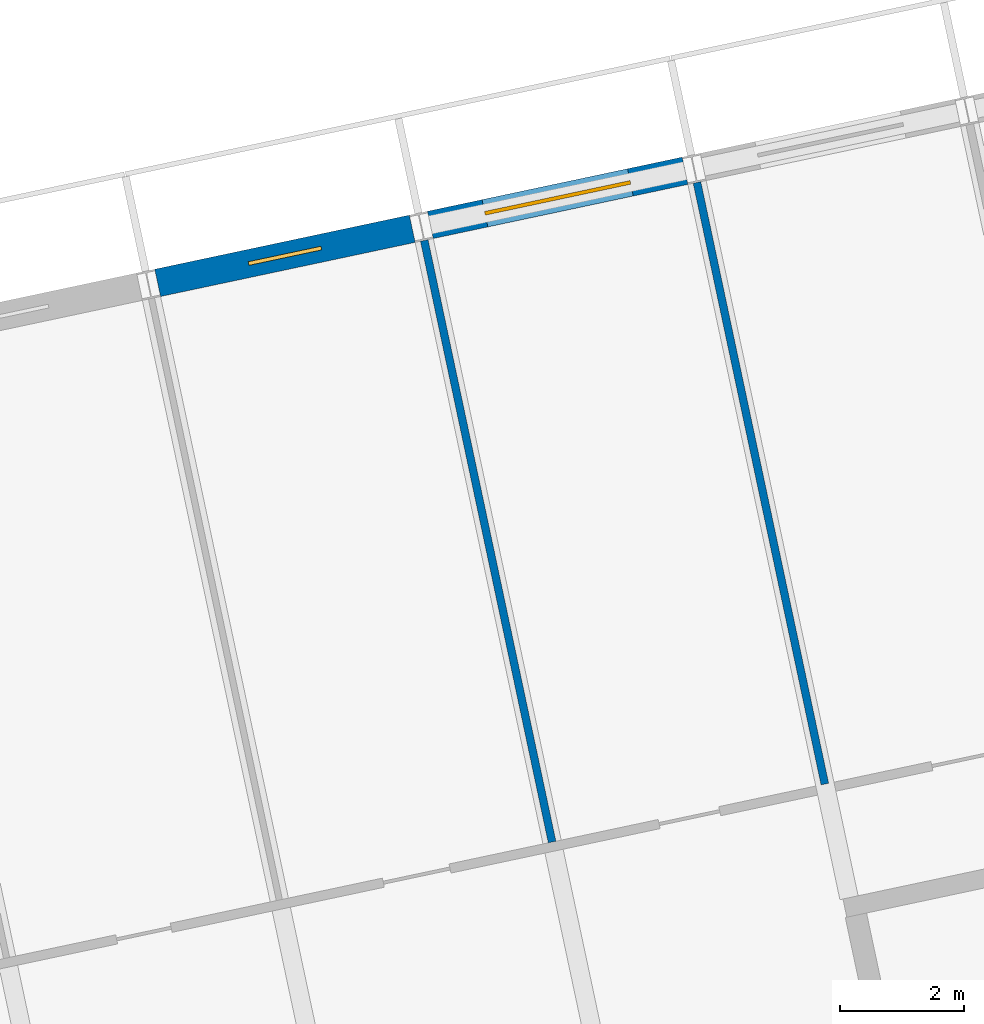
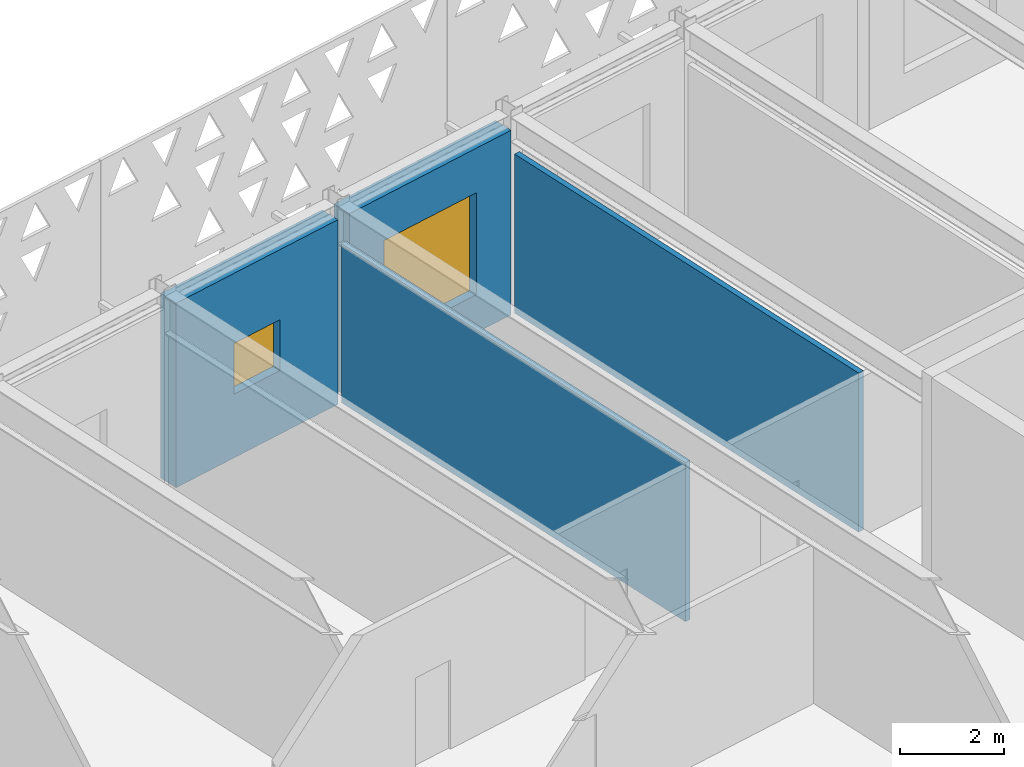
# One storey, part 125 of 182: 4 walls, 2 windows, 2 openings.
"""IFC4 building model written with IfcOpenShell, lengths in metres."""

from ifc_helpers import new_model, si_unit, direction, frame, frame_2d, origin, place, context, subcontext, project, spatial, rectangle, extrude, material, layer, layer_set, type_object, element, fill, save


model = new_model("IFC4")

# Units and contexts
model_context = context("Model", 3, precision=1e-05, world=origin(), true_north=direction((0.0, 1.0)))
body_context = subcontext(model_context, "Body", "Model", "MODEL_VIEW")
ifc_project = project(units=[si_unit("LENGTHUNIT", "METRE"), si_unit("AREAUNIT", "SQUARE_METRE"), si_unit("VOLUMEUNIT", "CUBIC_METRE"), si_unit("PLANEANGLEUNIT", "RADIAN"), si_unit("MASSUNIT", "GRAM", prefix="KILO")], contexts=[model_context])

# Site, building, storey
site_placement = place(None, origin())
site = spatial("IfcSite", under=ifc_project, at=site_placement, CompositionType="ELEMENT")
building_placement = place(site_placement, origin())
building = spatial("IfcBuilding", under=site, at=building_placement, Name="Okhra Congress Centre", CompositionType="ELEMENT")
storey_placement = place(building_placement, frame((0.0, 0.0, 7.199951171875)))
storey = spatial("IfcBuildingStorey", under=building, at=storey_placement, Name="L01", CompositionType="ELEMENT", Elevation=7.199951171875)

# Wall, opening, window
ifc_material_1 = material(Name="Insulated metal panel on steel stud (mineral wool, vapour barrier)", Category="steel")
ifc_layer_1 = layer(ifc_material_1, 0.449951171875)
ifc_layer_set_1 = layer_set([ifc_layer_1], Name="Insulated wall 450")
wall_type_1 = type_object("IfcWallType", Name="Insulated wall 450", PredefinedType="SOLIDWALL", material=ifc_layer_set_1)
wall_1_placement = place(storey_placement, frame((122.19287109375, 64.35009765625, 0.0), z_axis=(0.0, 0.0, 1.0), x_axis=(0.978155748334, 0.207873355681, 0.0)))
wall_1 = element("IfcWall", 1, at=wall_1_placement, inside=storey, type_object=wall_type_1, Name="External wall N16 L01", PredefinedType="SOLIDWALL", context=body_context, shape_type="SweptSolid", body=[
    extrude(rectangle(XDim=4.199951171875, YDim=0.449951171875, at=frame_2d((2.10009765625, 0.0))), origin(), (0.0, 0.0, 1.0), 4.35009765625),
])
opening_1_placement = place(wall_1_placement, frame((1.5, 0.0, 1.5)))
opening_1 = element("IfcOpeningElement", 2, at=opening_1_placement, cuts=wall_1, Name="Opening WN24", PredefinedType="OPENING", context=body_context, shape_type="SweptSolid", body=[
    extrude(rectangle(XDim=1.199951171875, YDim=1.199951171875, at=frame_2d((0.60009765625, 0.60009765625))), frame((0.0, 0.23486328125, 0.0), z_axis=(0.0, -1.0, 0.0), x_axis=(1.0, 0.0, 0.0)), (0.0, 0.0, 1.0), 0.469970703125),
])
ifc_material_2 = material(Name="Thermally broken aluminium frame, triple glazing", Category="aluminium")
window_type_1 = type_object("IfcWindowType", Name="Tilt-and-turn window 1200x1200", PartitioningType="SINGLE_PANEL", PredefinedType="WINDOW", material=ifc_material_2)
window_1_placement = place(opening_1_placement, origin())
window_1 = element("IfcWindow", 3, at=window_1_placement, inside=storey, type_object=window_type_1, Name="BX.WIN.L01.52", OverallHeight=1.199951171875, OverallWidth=1.199951171875, PartitioningType="SINGLE_PANEL", PredefinedType="WINDOW", context=body_context, shape_type="SweptSolid", body=[
    extrude(rectangle(XDim=1.199951171875, YDim=1.199951171875, at=frame_2d((0.60009765625, 0.60009765625))), frame((0.0, 0.030029296875, 0.0), z_axis=(0.0, -1.0, 0.0), x_axis=(1.0, 0.0, 0.0)), (0.0, 0.0, 1.0), 0.06005859375),
])
fill(opening_1, window_1)

wall_2_placement = place(storey_placement, frame((126.594482421875, 65.28564453125, 0.0), z_axis=(0.0, 0.0, 1.0), x_axis=(0.978143927149, 0.207928972925, 0.0)))
wall_2 = element("IfcWall", 4, at=wall_2_placement, inside=storey, type_object=wall_type_1, Name="External wall N17 L01", PredefinedType="SOLIDWALL", context=body_context, shape_type="SweptSolid", body=[
    extrude(rectangle(XDim=4.199951171875, YDim=0.449951171875, at=frame_2d((2.10009765625, 0.0))), origin(), (0.0, 0.0, 1.0), 4.35009765625),
])
opening_2_placement = place(wall_2_placement, frame((0.89990234375, 0.0, 0.89990234375)))
opening_2 = element("IfcOpeningElement", 5, at=opening_2_placement, cuts=wall_2, Name="Opening WN22", PredefinedType="OPENING", context=body_context, shape_type="SweptSolid", body=[
    extrude(rectangle(XDim=2.39990234375, YDim=2.39990234375, at=frame_2d((1.199951171875, 1.199951171875))), frame((0.0, 0.23486328125, 0.0), z_axis=(0.0, -1.0, 0.0), x_axis=(1.0, 0.0, 0.0)), (0.0, 0.0, 1.0), 0.469970703125),
])
window_type_2 = type_object("IfcWindowType", Name="Fixed window 2400x2400", PartitioningType="SINGLE_PANEL", PredefinedType="WINDOW", material=ifc_material_2)
window_2_placement = place(opening_2_placement, origin())
window_2 = element("IfcWindow", 6, at=window_2_placement, inside=storey, type_object=window_type_2, Name="BX.WIN.L01.53", OverallHeight=2.39990234375, OverallWidth=2.39990234375, PartitioningType="SINGLE_PANEL", PredefinedType="WINDOW", context=body_context, shape_type="SweptSolid", body=[
    extrude(rectangle(XDim=2.39990234375, YDim=2.39990234375, at=frame_2d((1.199951171875, 1.199951171875))), frame((0.0, 0.030029296875, 0.0), z_axis=(0.0, -1.0, 0.0), x_axis=(1.0, 0.0, 0.0)), (0.0, 0.0, 1.0), 0.06005859375),
])
fill(opening_2, window_2)

# Walls
ifc_material_3 = material(Name="Gypsum board on steel studs", Category="steel")
ifc_layer_2 = layer(ifc_material_3, 0.125)
ifc_layer_set_2 = layer_set([ifc_layer_2], Name="Partition 125")
wall_type_2 = type_object("IfcWallType", Name="Partition 125", PredefinedType="PARTITIONING", material=ifc_layer_set_2)
for number, where, z_axis, x_axis, name in (
    (7, (126.49462890625, 65.034423828125, 0.0), (0.0, 0.0, 1.0), (0.207904355568, -0.978149159861, 0.0), "Partition N L01"),
    (8, (130.896240234375, 65.969970703125, 0.0), (0.0, 0.0, 1.0), (0.207904355568, -0.978149159861, 0.0), "Partition N L01"),
):
    element("IfcWall", number, at=place(storey_placement, frame(where, z_axis=z_axis, x_axis=x_axis)), inside=storey, type_object=wall_type_2, Name=name, PredefinedType="PARTITIONING", context=body_context, shape_type="SweptSolid", body=[
        extrude(rectangle(XDim=9.925048828125, YDim=0.125, at=frame_2d((4.96240234375, 0.0))), origin(), (0.0, 0.0, 1.0), 3.75),
    ])

save(model, "model.ifc")
